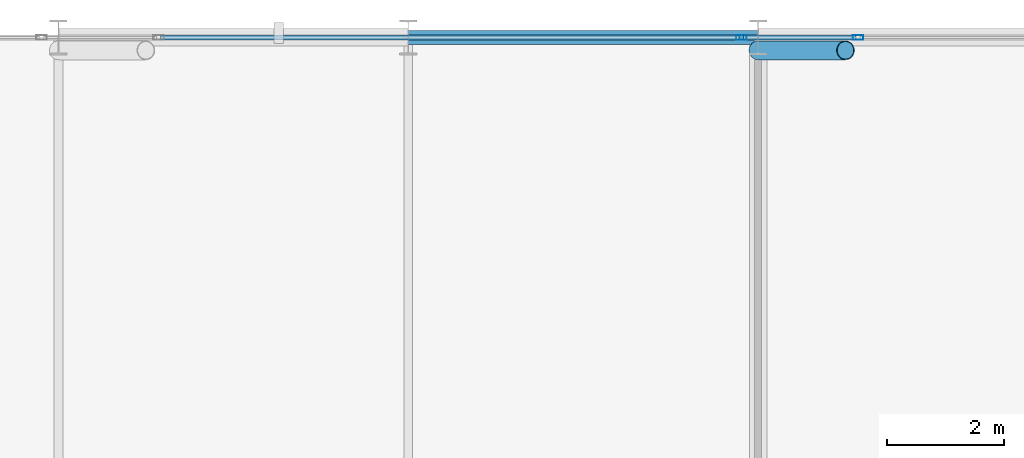
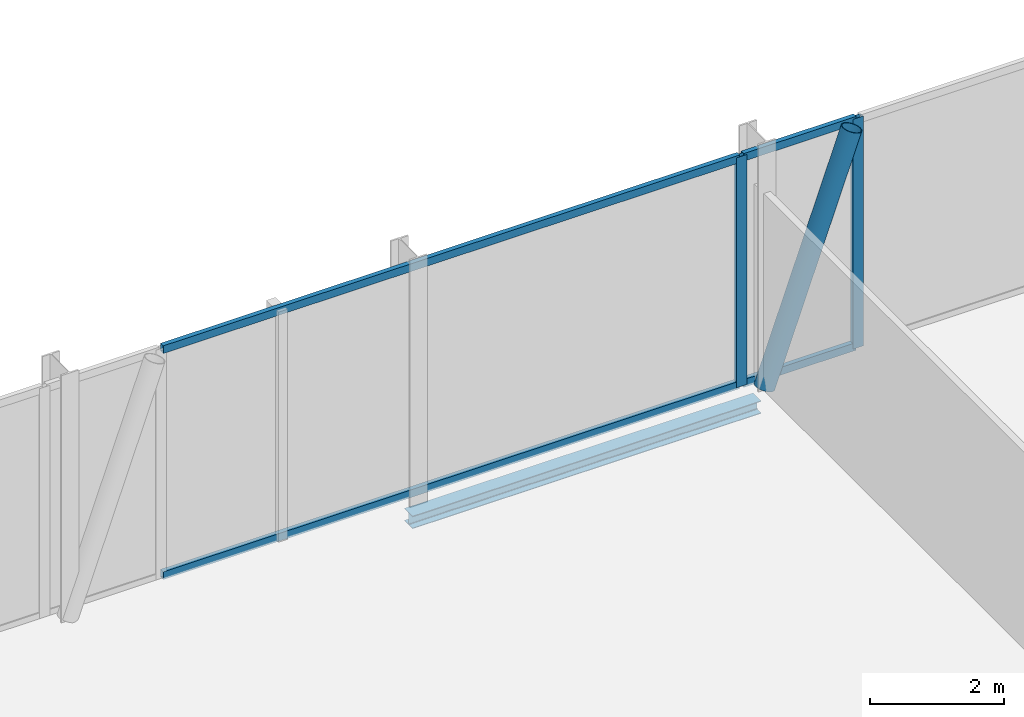
# One storey, part 17 of 31: 7 members, 1 beam, 2 elements without a shape of their own.
"""IFC4 building model written with IfcOpenShell, lengths in metres."""

import ifcopenshell
import ifcopenshell.guid

model = None  # the IFC model being written
_history = None  # IfcOwnerHistory: only IFC2X3 demands one
_inside = {}  # id of a spatial element -> (the spatial element, [elements in it])
_under = {}  # id of a project, library or spatial element -> (it, [spatial elements below it])
_declared = {}  # id of a project -> (the project, [libraries it declares])
_typed = {}  # id of a type object -> (the type object, [elements of that type])
_made_of = {}  # id of a material, layer set ... -> (it, [elements and type objects made of it])


def new_model(schema):
    """Start an empty IFC model of exactly this schema.

    Asked for "IFC4X3", IfcOpenShell would pick the latest addendum, in which some entities
    have other attributes; the version numbers below select the first issue.
    IFC2X3 requires an IfcOwnerHistory on every rooted entity: one is made here for all.
    """
    global model, _history
    if schema == "IFC4X3":
        model = ifcopenshell.file(schema_version=(4, 3, 0, 0))
    else:
        model = ifcopenshell.file(schema=schema)
    _inside.clear()
    _under.clear()
    _declared.clear()
    _typed.clear()
    _made_of.clear()
    _history = None
    if model.schema == "IFC2X3":
        org = make("IfcOrganization", Name="unknown")
        user = make(
            "IfcPersonAndOrganization",
            ThePerson=make("IfcPerson", FamilyName="unknown"),
            TheOrganization=org,
        )
        app = make(
            "IfcApplication",
            ApplicationDeveloper=org,
            Version="unknown",
            ApplicationFullName="unknown",
            ApplicationIdentifier="unknown",
        )
        _history = make(
            "IfcOwnerHistory",
            OwningUser=user,
            OwningApplication=app,
            ChangeAction="ADDED",
            CreationDate=0,
        )
    return model


def make(cls, **values):
    """One entity of the class cls with the attributes given. An attribute that is None is left unset."""
    return model.create_entity(
        cls, **{name: value for name, value in values.items() if value is not None}
    )


def rooted(cls, **values):
    """An entity with a GlobalId (a new one), such as an element, a storey or a relation."""
    return make(cls, GlobalId=ifcopenshell.guid.new(), OwnerHistory=_history, **values)


def si_unit(unit_type, name, prefix=None):
    """IfcSIUnit, for example si_unit("LENGTHUNIT", "METRE", prefix="MILLI")."""
    return make("IfcSIUnit", UnitType=unit_type, Prefix=prefix, Name=name)


def assignment(units):
    """IfcUnitAssignment: the units of a project."""
    return None if units is None else make("IfcUnitAssignment", Units=units)


def point(xyz):
    """IfcCartesianPoint."""
    return None if xyz is None else make("IfcCartesianPoint", Coordinates=xyz)


def direction(xyz):
    """IfcDirection."""
    return None if xyz is None else make("IfcDirection", DirectionRatios=xyz)


def frame(location, z_axis=None, x_axis=None):
    """IfcAxis2Placement3D, a coordinate frame: its origin and axes. An axis left out is left unset."""
    return make(
        "IfcAxis2Placement3D",
        Location=point(location),
        Axis=direction(z_axis),
        RefDirection=direction(x_axis),
    )


def frame_2d(location, x_axis=None):
    """IfcAxis2Placement2D, a coordinate frame in the plane: its origin and x axis."""
    return make(
        "IfcAxis2Placement2D", Location=point(location), RefDirection=direction(x_axis)
    )


def origin():
    """The frame at (0, 0, 0) with its axes left unset."""
    return frame((0.0, 0.0, 0.0))


def origin_2d():
    """The frame at (0, 0) in the plane with its x axis left unset."""
    return frame_2d((0.0, 0.0))


def place(relative_to, where):
    """IfcLocalPlacement: puts the frame where relative to a parent placement (None: the world)."""
    return make(
        "IfcLocalPlacement", PlacementRelTo=relative_to, RelativePlacement=where
    )


def context(
    kind, dimensions, precision=None, world=None, true_north=None, identifier=None
):
    """IfcGeometricRepresentationContext, for example the 3D "Model" context."""
    return make(
        "IfcGeometricRepresentationContext",
        ContextIdentifier=identifier,
        ContextType=kind,
        CoordinateSpaceDimension=dimensions,
        Precision=precision,
        WorldCoordinateSystem=world,
        TrueNorth=true_north,
    )


def subcontext(parent, identifier, kind, view, scale=None):
    """IfcGeometricRepresentationSubContext, for example "Body" below "Model"."""
    return make(
        "IfcGeometricRepresentationSubContext",
        ContextIdentifier=identifier,
        ContextType=kind,
        ParentContext=parent,
        TargetScale=scale,
        TargetView=view,
    )


def project(units=None, contexts=None):
    """IfcProject with its units and contexts."""
    return rooted(
        "IfcProject",
        Name="project",
        RepresentationContexts=contexts,
        UnitsInContext=assignment(units),
    )


def spatial(cls, under=None, at=None, **own):
    """A site, building, storey or space (cls), placed at a placement, below another one or the project."""
    s = rooted(cls, ObjectPlacement=at, **own)
    if under is not None:
        _under.setdefault(under.id(), (under, []))[1].append(s)
    return s


def profile(cls, at=None, kind="AREA", **sizes):
    """A parametric profile (cls). Its sizes go by their IFC names, for example OverallWidth=200.0."""
    return make(cls, ProfileType=kind, Position=at, **sizes)


def hollow_rectangle(**sizes):
    """IfcRectangleHollowProfileDef."""
    return profile("IfcRectangleHollowProfileDef", **sizes)


def hollow_circle(**sizes):
    """IfcCircleHollowProfileDef."""
    return profile("IfcCircleHollowProfileDef", **sizes)


def i_section(**sizes):
    """IfcIShapeProfileDef."""
    return profile("IfcIShapeProfileDef", **sizes)


def extrude(swept, where, along, depth):
    """IfcExtrudedAreaSolid: the profile swept, set in the frame where, extruded along a direction by depth."""
    return make(
        "IfcExtrudedAreaSolid",
        SweptArea=swept,
        Position=where,
        ExtrudedDirection=direction(along),
        Depth=depth,
    )


def shape(context_of_items, identifier, shape_type, items):
    """IfcShapeRepresentation: the items that make up one representation, for example the "Body"."""
    return make(
        "IfcShapeRepresentation",
        ContextOfItems=context_of_items,
        RepresentationIdentifier=identifier,
        RepresentationType=shape_type,
        Items=items,
    )


def material(Name=None, Category=None):
    """IfcMaterial."""
    return make("IfcMaterial", Name=Name, Category=Category)


def layer(
    of_material, thickness, ventilated=None, Name=None, Category=None, Priority=None
):
    """IfcMaterialLayer: one layer of a wall or slab, of a material (None: an air gap)."""
    return make(
        "IfcMaterialLayer",
        Material=of_material,
        LayerThickness=thickness,
        IsVentilated=ventilated,
        Name=Name,
        Category=Category,
        Priority=Priority,
    )


def layer_set(layers, Name=None):
    """IfcMaterialLayerSet."""
    return make("IfcMaterialLayerSet", MaterialLayers=layers, LayerSetName=Name)


def material_profile(
    of_material, cross_section, Name=None, Category=None, Priority=None
):
    """IfcMaterialProfile: a cross section and its material."""
    return make(
        "IfcMaterialProfile",
        Name=Name,
        Material=of_material,
        Profile=cross_section,
        Priority=Priority,
        Category=Category,
    )


def profile_set(profiles, Name=None, composite=None):
    """IfcMaterialProfileSet."""
    return make(
        "IfcMaterialProfileSet",
        Name=Name,
        MaterialProfiles=profiles,
        CompositeProfile=composite,
    )


def made_of(thing, what):
    """Note that an element or type object is made of a material, layer set ...; save() writes the relation."""
    if what is not None:
        _made_of.setdefault(what.id(), (what, []))[1].append(thing)
    return thing


def type_object(cls, material=None, **own):
    """A type object (cls), such as IfcWallType, which elements share."""
    return made_of(rooted(cls, **own), material)


def element(
    cls,
    number,
    at=None,
    inside=None,
    cuts=None,
    type_object=None,
    material=None,
    context=None,
    identifier="Body",
    shape_type=None,
    held_by="IfcProductDefinitionShape",
    body=None,
    shapes=None,
    **own,
):
    """One element of the class cls, such as IfcWall. Its Tag is "e" and its number.

    at: its placement. inside: the storey or other place that contains it. cuts: it is an
    opening in that element (IfcRelVoidsElement). A single representation is given by context,
    identifier, shape_type and body (its items); several are given by shapes. held_by: the class
    of the entity that holds the representations. save() writes the other relations.
    """
    e = rooted(cls, Tag="e%d" % number, ObjectPlacement=at, **own)
    if body is not None:
        shapes = [shape(context, identifier, shape_type, body)]
    if shapes is not None:
        e.Representation = make(held_by, Representations=shapes)
    if inside is not None:
        _inside.setdefault(inside.id(), (inside, []))[1].append(e)
    if cuts is not None:
        rooted(
            "IfcRelVoidsElement", RelatingBuildingElement=cuts, RelatedOpeningElement=e
        )
    if type_object is not None:
        _typed.setdefault(type_object.id(), (type_object, []))[1].append(e)
    return made_of(e, material)


def aggregate(whole, parts):
    """IfcRelAggregates: a whole, such as a stair, and the parts it consists of."""
    return rooted("IfcRelAggregates", RelatingObject=whole, RelatedObjects=parts)


def save(model, path):
    """Write the relations noted so far, then the file.

    IfcRelAggregates (storeys below a building ...), IfcRelContainedInSpatialStructure (elements
    in a storey), IfcRelDefinesByType, IfcRelAssociatesMaterial and IfcRelDeclares: one each for
    every whole, place, type object, material and project.
    """
    for whole, parts in _under.values():
        aggregate(whole, parts)
    for where, things in _inside.values():
        rooted(
            "IfcRelContainedInSpatialStructure",
            RelatedElements=things,
            RelatingStructure=where,
        )
    for kind, things in _typed.values():
        rooted("IfcRelDefinesByType", RelatedObjects=things, RelatingType=kind)
    for what, things in _made_of.values():
        rooted("IfcRelAssociatesMaterial", RelatedObjects=things, RelatingMaterial=what)
    for by, libraries in _declared.values():
        rooted("IfcRelDeclares", RelatingContext=by, RelatedDefinitions=libraries)
    model.write(path)


model = new_model("IFC4")

# Units and contexts
model_context = context("Model", 3, precision=1e-05, world=origin(), true_north=direction((0.0, 1.0)))
body_context = subcontext(model_context, "Body", "Model", "MODEL_VIEW")
ifc_project = project(units=[si_unit("LENGTHUNIT", "METRE"), si_unit("AREAUNIT", "SQUARE_METRE"), si_unit("VOLUMEUNIT", "CUBIC_METRE"), si_unit("PLANEANGLEUNIT", "RADIAN"), si_unit("MASSUNIT", "GRAM", prefix="KILO")], contexts=[model_context])

# Site, building, storey
site_placement = place(None, origin())
site = spatial("IfcSite", under=ifc_project, at=site_placement, CompositionType="ELEMENT")
building_placement = place(site_placement, origin())
building = spatial("IfcBuilding", under=site, at=building_placement, Name="Keshet Zoharim Tower", CompositionType="ELEMENT")
storey_placement = place(building_placement, frame((0.0, 0.0, 125.300048828125)))
storey = spatial("IfcBuildingStorey", under=building, at=storey_placement, Name="L30", CompositionType="ELEMENT", Elevation=125.300048828125)

# Beam
ifc_material_1 = material(Name="Steel S355", Category="steel")
ifc_material_profile_1 = material_profile(ifc_material_1, i_section(OverallWidth=0.239990234375, OverallDepth=0.22998046875, WebThickness=0.007568359375, FlangeThickness=0.011962890625, FilletRadius=0.02099609375, at=origin_2d()), Name="HEA240")
ifc_profile_set_1 = profile_set([ifc_material_profile_1], Name="Steel S355")
beam_type = type_object("IfcBeamType", Name="BM-LNT-HA240", PredefinedType="LINTEL", material=ifc_profile_set_1)
beam_placement = place(storey_placement, frame((27.0, 53.89990234375, -0.43505859375), z_axis=(1.0, 0.0, 0.0), x_axis=(0.0, 1.0, 0.0)))
element("IfcBeam", 1, at=beam_placement, inside=storey, type_object=beam_type, Name="L30 Primary Girder X-020", PredefinedType="LINTEL", context=body_context, shape_type="SweptSolid", body=[
    extrude(i_section(OverallWidth=0.239990234375, OverallDepth=0.22998046875, WebThickness=0.007568359375, FlangeThickness=0.011962890625, FilletRadius=0.02099609375, at=origin_2d()), origin(), (0.0, 0.0, 1.0), 6.0),
])

# Curtain wall, member
ifc_material_2 = material(Name="Aluminium 6063-T6", Category="aluminium")
ifc_layer = layer(ifc_material_2, 0.14990234375)
ifc_layer_set = layer_set([ifc_layer], Name="Aluminium 6063-T6")
curtain_wall_type = type_object("IfcCurtainWallType", Name="CW-SYS-04", PredefinedType="NOTDEFINED", material=ifc_layer_set)
curtain_wall_1_placement = place(storey_placement, origin())
curtain_wall_1 = element("IfcCurtainWall", 2, at=curtain_wall_1_placement, inside=storey, type_object=curtain_wall_type, Name="L30 Unitised Curtain Wall 19 Part 3", PredefinedType="NOTDEFINED")
ifc_material_profile_2 = material_profile(ifc_material_2, hollow_rectangle(XDim=0.080078125, YDim=0.179931640625, WallThickness=0.00439453125, at=origin_2d()), Name="MUL-80x180")
ifc_profile_set_2 = profile_set([ifc_material_profile_2], Name="Aluminium 6063-T6")
member_type_1 = type_object("IfcMemberType", Name="CWM-M18", PredefinedType="MULLION", material=ifc_profile_set_2)
member_1_placement = place(storey_placement, frame((32.71240234375, 53.89990234375, 0.0), z_axis=(0.0, 0.0, 1.0), x_axis=(0.0, 1.0, 0.0)))
member_1 = element("IfcMember", 3, at=member_1_placement, type_object=member_type_1, Name="CW-04 mullion 2", PredefinedType="MULLION", context=body_context, shape_type="SweptSolid", body=[
    extrude(hollow_rectangle(XDim=0.080078125, YDim=0.179931640625, WallThickness=0.00439453125, at=origin_2d()), origin(), (0.0, 0.0, 1.0), 4.18505859375),
])

curtain_wall_2_placement = place(storey_placement, origin())
curtain_wall_2 = element("IfcCurtainWall", 4, at=curtain_wall_2_placement, inside=storey, type_object=curtain_wall_type, Name="L30 Unitised Curtain Wall 19 Part 4", PredefinedType="NOTDEFINED")
member_2_placement = place(storey_placement, frame((34.717529296875, 53.89990234375, 0.0), z_axis=(0.0, 0.0, 1.0), x_axis=(0.0, 1.0, 0.0)))
member_2 = element("IfcMember", 5, at=member_2_placement, type_object=member_type_1, Name="CW-04 mullion 2", PredefinedType="MULLION", context=body_context, shape_type="SweptSolid", body=[
    extrude(hollow_rectangle(XDim=0.080078125, YDim=0.179931640625, WallThickness=0.00439453125, at=origin_2d()), origin(), (0.0, 0.0, 1.0), 4.18505859375),
])

# Member
ifc_material_profile_3 = material_profile(ifc_material_2, hollow_rectangle(XDim=0.080078125, YDim=0.139892578125, WallThickness=0.00390625, at=origin_2d()), Name="TRN-80x140")
ifc_profile_set_3 = profile_set([ifc_material_profile_3], Name="Aluminium 6063-T6")
member_type_2 = type_object("IfcMemberType", Name="CWT-T14", PredefinedType="USERDEFINED", material=ifc_profile_set_3)
member_3_placement = place(storey_placement, frame((22.75244140625, 53.89990234375, 0.034912109375), z_axis=(1.0, 0.0, 0.0), x_axis=(0.0, 1.0, 0.0)))
member_3 = element("IfcMember", 6, at=member_3_placement, type_object=member_type_2, Name="CW-04 transom 1.1", ObjectType="TRANSOM", PredefinedType="USERDEFINED", context=body_context, shape_type="SweptSolid", body=[
    extrude(hollow_rectangle(XDim=0.080078125, YDim=0.139892578125, WallThickness=0.00390625, at=origin_2d()), origin(), (0.0, 0.0, 1.0), 9.925048828125),
])

member_4_placement = place(storey_placement, frame((22.75244140625, 53.89990234375, 4.14990234375), z_axis=(1.0, 0.0, 0.0), x_axis=(0.0, 1.0, 0.0)))
member_4 = element("IfcMember", 7, at=member_4_placement, type_object=member_type_2, Name="CW-04 transom 1.2", ObjectType="TRANSOM", PredefinedType="USERDEFINED", context=body_context, shape_type="SweptSolid", body=[
    extrude(hollow_rectangle(XDim=0.080078125, YDim=0.139892578125, WallThickness=0.00390625, at=origin_2d()), origin(), (0.0, 0.0, 1.0), 9.925048828125),
])

aggregate(curtain_wall_1, [member_1, member_3, member_4])

member_5_placement = place(storey_placement, frame((32.74755859375, 53.89990234375, 0.034912109375), z_axis=(1.0, 0.0, 0.0), x_axis=(0.0, 1.0, 0.0)))
member_5 = element("IfcMember", 8, at=member_5_placement, type_object=member_type_2, Name="CW-04 transom 1.1", ObjectType="TRANSOM", PredefinedType="USERDEFINED", context=body_context, shape_type="SweptSolid", body=[
    extrude(hollow_rectangle(XDim=0.080078125, YDim=0.139892578125, WallThickness=0.00390625, at=origin_2d()), origin(), (0.0, 0.0, 1.0), 1.93505859375),
])

member_6_placement = place(storey_placement, frame((32.74755859375, 53.89990234375, 4.14990234375), z_axis=(1.0, 0.0, 0.0), x_axis=(0.0, 1.0, 0.0)))
member_6 = element("IfcMember", 9, at=member_6_placement, type_object=member_type_2, Name="CW-04 transom 1.2", ObjectType="TRANSOM", PredefinedType="USERDEFINED", context=body_context, shape_type="SweptSolid", body=[
    extrude(hollow_rectangle(XDim=0.080078125, YDim=0.139892578125, WallThickness=0.00390625, at=origin_2d()), origin(), (0.0, 0.0, 1.0), 1.93505859375),
])

aggregate(curtain_wall_2, [member_2, member_5, member_6])

ifc_material_profile_4 = material_profile(ifc_material_1, hollow_circle(Radius=0.161865234375, WallThickness=0.012451171875, at=origin_2d()), Name="CHS323x12.5")
ifc_profile_set_4 = profile_set([ifc_material_profile_4], Name="Steel S355")
member_type_3 = type_object("IfcMemberType", Name="MB-BR-C323", PredefinedType="BRACE", material=ifc_profile_set_4)
member_7_placement = place(storey_placement, frame((33.0, 53.679931640625, 0.0), z_axis=(0.337400697546, 0.0, 0.941361125868), x_axis=(0.0, 1.0, 0.0)))
element("IfcMember", 10, at=member_7_placement, inside=storey, type_object=member_type_3, Name="L30 Perimeter Tube Brace 03", PredefinedType="BRACE", context=body_context, shape_type="SweptSolid", body=[
    extrude(hollow_circle(Radius=0.161865234375, WallThickness=0.012451171875, at=origin_2d()), origin(), (0.0, 0.0, 1.0), 4.44580078125),
])

save(model, "model.ifc")
